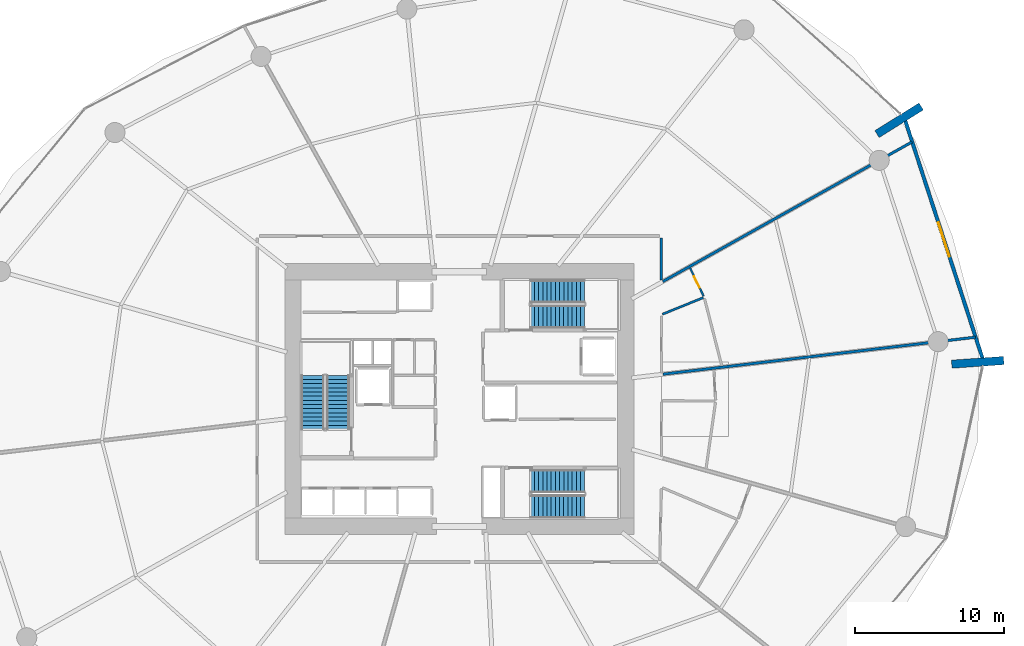
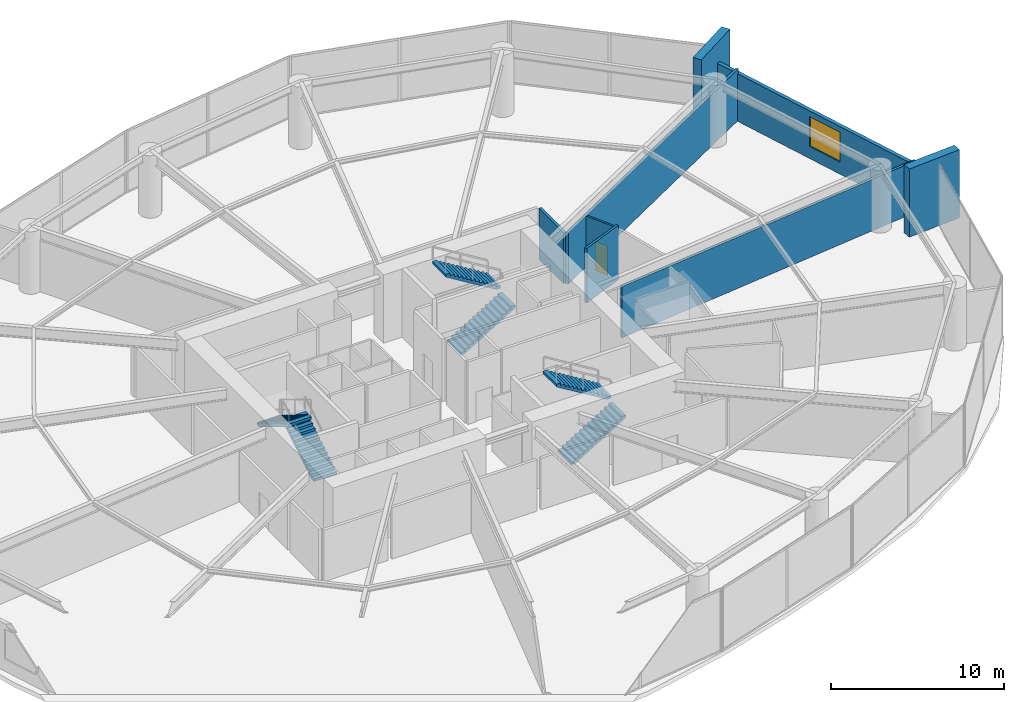
# One storey, part 20 of 22: 8 walls, 6 stair flights, 1 door, 1 window, 2 openings, 3 elements without a shape of their own.
"""IFC4 building model written with IfcOpenShell, lengths in metres."""

from ifc_helpers import new_model, si_unit, direction, frame, frame_2d, origin, place, context, subcontext, project, spatial, polyline, rectangle, outline, extrude, material, layer, layer_set, type_object, element, fill, aggregate, save


model = new_model("IFC4")

# Units and contexts
model_context = context("Model", 3, precision=1e-05, world=origin(), true_north=direction((0.0, 1.0)))
body_context = subcontext(model_context, "Body", "Model", "MODEL_VIEW")
ifc_project = project(units=[si_unit("LENGTHUNIT", "METRE"), si_unit("AREAUNIT", "SQUARE_METRE"), si_unit("VOLUMEUNIT", "CUBIC_METRE"), si_unit("PLANEANGLEUNIT", "RADIAN"), si_unit("MASSUNIT", "GRAM", prefix="KILO")], contexts=[model_context])

# Site, building, storey
site_placement = place(None, origin())
site = spatial("IfcSite", under=ifc_project, at=site_placement, CompositionType="ELEMENT")
building_placement = place(site_placement, origin())
building = spatial("IfcBuilding", under=site, at=building_placement, Name="Kazma Halo Residences", CompositionType="ELEMENT")
storey_placement = place(building_placement, frame((0.0, 0.0, 16.800048828125)))
storey = spatial("IfcBuildingStorey", under=building, at=storey_placement, Name="L03", CompositionType="ELEMENT", Elevation=16.800048828125)

# Walls
ifc_material_1 = material(Name="Pale Concrete C60/75", Category="concrete")
ifc_layer_1 = layer(ifc_material_1, 0.550048828125)
ifc_layer_set_1 = layer_set([ifc_layer_1], Name="Pale Concrete C60/75")
wall_type_1 = type_object("IfcWallType", Name="WL-BLADE-550", PredefinedType="SOLIDWALL", material=ifc_layer_set_1)
for number, where, z_axis, x_axis, name in (
    (1, (76.481201171875, 59.797119140625, 0.0), (0.0, 0.0, 1.0), (0.848053161125, 0.529911158502, 0.0), "L03 pale concrete structural blade fin wall BW-01"),
    (2, (81.502685546875, 44.3427734375, 0.0), (0.0, 0.0, 1.0), (0.997564163539, 0.069754853754, 0.0), "L03 pale concrete structural blade fin wall BW-04"),
):
    element("IfcWall", number, at=place(storey_placement, frame(where, z_axis=z_axis, x_axis=x_axis)), inside=storey, type_object=wall_type_1, Name=name, PredefinedType="SOLIDWALL", context=body_context, shape_type="SweptSolid", body=[
        extrude(rectangle(XDim=3.5, YDim=0.550048828125, at=frame_2d((1.75, 0.0))), origin(), (0.0, 0.0, 1.0), 4.800048828125),
    ])
ifc_material_2 = material(Name="Acoustic Twin-Stud Gypsum")
ifc_layer_2 = layer(ifc_material_2, 0.179931640625)
ifc_layer_set_2 = layer_set([ifc_layer_2], Name="Acoustic Twin-Stud Gypsum")
wall_type_2 = type_object("IfcWallType", Name="WL-DEM-180", PredefinedType="PARTITIONING", material=ifc_layer_set_2)
wall_1_placement = place(storey_placement, frame((62.0, 49.98046875, 0.0), z_axis=(0.0, 0.0, 1.0), x_axis=(0.0, 1.0, 0.0)))
element("IfcWall", 3, at=wall_1_placement, inside=storey, type_object=wall_type_2, Name="L03 Cardio and Strength Fitness Gym corridor wall", PredefinedType="PARTITIONING", context=body_context, shape_type="SweptSolid", body=[
    extrude(rectangle(XDim=2.82958984375, YDim=0.179931640625, at=frame_2d((1.414794921875, 0.0))), origin(), (0.0, 0.0, 1.0), 3.613037109375),
])
wall_2_placement = place(storey_placement, frame((62.095947265625, 49.89404296875, 0.0), z_axis=(0.0, 0.0, 1.0), x_axis=(0.872490608205, 0.488630881744, 0.0)))
element("IfcWall", 4, at=wall_2_placement, inside=storey, type_object=wall_type_2, Name="L03 radial partition wall 00", PredefinedType="PARTITIONING", context=body_context, shape_type="SweptSolid", body=[
    extrude(rectangle(XDim=19.184814453125, YDim=0.179931640625, at=frame_2d((9.59228515625, 0.0))), origin(), (0.0, 0.0, 1.0), 3.613037109375),
])
wall_3_placement = place(storey_placement, frame((62.109130859375, 43.669921875, 0.0), z_axis=(0.0, 0.0, 1.0), x_axis=(0.993068665713, 0.117535633659, 0.0)))
element("IfcWall", 5, at=wall_3_placement, inside=storey, type_object=wall_type_2, Name="L03 radial partition wall 15", PredefinedType="PARTITIONING", context=body_context, shape_type="SweptSolid", body=[
    extrude(rectangle(XDim=21.133056640625, YDim=0.179931640625, at=frame_2d((10.56640625, 0.0))), origin(), (0.0, 0.0, 1.0), 3.613037109375),
])

# Wall, opening, window
ifc_material_3 = material(Name="Insulated Pale-Metal Composite Wall")
ifc_layer_3 = layer(ifc_material_3, 0.239990234375)
ifc_layer_set_3 = layer_set([ifc_layer_3], Name="Insulated Pale-Metal Composite Wall")
wall_type_3 = type_object("IfcWallType", Name="WL-EXT-HOST-240", PredefinedType="SOLIDWALL", material=ifc_layer_set_3)
wall_4_placement = place(storey_placement, frame((83.57275390625, 44.724609375, 0.0), z_axis=(0.0, 0.0, 1.0), x_axis=(-0.309022005354, 0.951054888115, 0.0)))
wall_4 = element("IfcWall", 6, at=wall_4_placement, inside=storey, type_object=wall_type_3, Name="L03 podium end wall B16", PredefinedType="SOLIDWALL", context=body_context, shape_type="SweptSolid", body=[
    extrude(rectangle(XDim=16.802734375, YDim=0.239990234375, at=frame_2d((8.4013671875, 0.0))), origin(), (0.0, 0.0, 1.0), 3.349853515625),
])
opening_1_placement = place(wall_4_placement, frame((7.201171875, 0.0, 0.85009765625)))
opening_1 = element("IfcOpeningElement", 7, at=opening_1_placement, cuts=wall_4, Name="Opening W-2400", PredefinedType="OPENING", context=body_context, shape_type="SweptSolid", body=[
    extrude(rectangle(XDim=2.39990234375, YDim=2.10009765625, at=frame_2d((1.199951171875, 1.050048828125))), frame((0.0, 0.1298828125, 0.0), z_axis=(0.0, -1.0, 0.0), x_axis=(1.0, 0.0, 0.0)), (0.0, 0.0, 1.0), 0.260009765625),
])
ifc_material_4 = material(Name="Clear Triple-Silver Low-E Glass in Aluminium AW-6063 T6 Frame", Category="aluminium")
window_type = type_object("IfcWindowType", Name="WIN-POD-2400", PartitioningType="DOUBLE_PANEL_VERTICAL", PredefinedType="WINDOW", material=ifc_material_4)
window_placement = place(opening_1_placement, origin())
window = element("IfcWindow", 8, at=window_placement, inside=storey, type_object=window_type, Name="L03 podium vision window B16", OverallHeight=2.10009765625, OverallWidth=2.39990234375, PartitioningType="SINGLE_PANEL", PredefinedType="WINDOW", context=body_context, shape_type="SweptSolid", body=[
    extrude(rectangle(XDim=2.39990234375, YDim=2.10009765625, at=frame_2d((1.199951171875, 1.050048828125))), frame((0.0, 0.030029296875, 0.0), z_axis=(0.0, -1.0, 0.0), x_axis=(1.0, 0.0, 0.0)), (0.0, 0.0, 1.0), 0.06005859375),
])
fill(opening_1, window)

# Wall, opening, door
ifc_material_5 = material(Name="Gypsum Plasterboard Partition")
ifc_layer_4 = layer(ifc_material_5, 0.125)
ifc_layer_set_4 = layer_set([ifc_layer_4], Name="Gypsum Plasterboard Partition")
wall_type_4 = type_object("IfcWallType", Name="WL-PART-125", PredefinedType="PARTITIONING", material=ifc_layer_set_4)
wall_5_placement = place(storey_placement, frame((64.8388671875, 48.906494140625, 0.0), z_axis=(0.0, 0.0, 1.0), x_axis=(-0.432923235959, 0.901430791446, 0.0)))
wall_5 = element("IfcWall", 9, at=wall_5_placement, inside=storey, type_object=wall_type_4, Name="L03 supply store wall", PredefinedType="PARTITIONING", context=body_context, shape_type="SweptSolid", body=[
    extrude(rectangle(XDim=2.106201171875, YDim=0.125, at=frame_2d((1.05322265625, 0.0))), origin(), (0.0, 0.0, 1.0), 3.613037109375),
])
opening_2_placement = place(wall_5_placement, frame((0.628173828125, 0.0, 0.0)))
opening_2 = element("IfcOpeningElement", 10, at=opening_2_placement, cuts=wall_5, Name="Opening DS-850", PredefinedType="OPENING", context=body_context, shape_type="SweptSolid", body=[
    extrude(rectangle(XDim=0.85009765625, YDim=2.06005859375, at=frame_2d((0.425048828125, 1.030029296875))), frame((0.0, 0.072509765625, 0.0), z_axis=(0.0, -1.0, 0.0), x_axis=(1.0, 0.0, 0.0)), (0.0, 0.0, 1.0), 0.14501953125),
])
ifc_material_6 = material(Name="Painted Steel Access Leaf", Category="steel")
door_type = type_object("IfcDoorType", Name="DR-SVC-850", OperationType="NOTDEFINED", PredefinedType="DOOR", material=ifc_material_6)
door_placement = place(opening_2_placement, origin())
door = element("IfcDoor", 11, at=door_placement, inside=storey, type_object=door_type, Name="L03 supply store door", OperationType="SINGLE_SWING_RIGHT", OverallHeight=2.06005859375, OverallWidth=0.85009765625, PredefinedType="DOOR", context=body_context, shape_type="SweptSolid", body=[
    extrude(rectangle(XDim=0.85009765625, YDim=2.06005859375, at=frame_2d((0.425048828125, 1.030029296875))), frame((0.0, 0.02490234375, 0.0), z_axis=(0.0, -1.0, 0.0), x_axis=(1.0, 0.0, 0.0)), (0.0, 0.0, 1.0), 0.050048828125),
])
fill(opening_2, door)

# Wall
ifc_material_7 = material(Name="Moisture-Resistant Gypsum")
ifc_layer_5 = layer(ifc_material_7, 0.14990234375)
ifc_layer_set_5 = layer_set([ifc_layer_5], Name="Moisture-Resistant Gypsum")
wall_type_5 = type_object("IfcWallType", Name="WL-WET-150", PredefinedType="PARTITIONING", material=ifc_layer_set_5)
wall_6_placement = place(storey_placement, frame((62.07421875, 47.70068359375, 0.0), z_axis=(0.0, 0.0, 1.0), x_axis=(0.926852538468, 0.375425587747, 0.0)))
element("IfcWall", 12, at=wall_6_placement, inside=storey, type_object=wall_type_5, Name="L03 Gym Accessible WC side wall", PredefinedType="PARTITIONING", context=body_context, shape_type="SweptSolid", body=[
    extrude(rectangle(XDim=2.960205078125, YDim=0.14990234375, at=frame_2d((1.47998046875, 0.0))), origin(), (0.0, 0.0, 1.0), 3.83984375),
])

# Stair, stair flights
ifc_material_8 = material(Name="Concrete C50/60", Category="concrete")
stair_type = type_object("IfcStairType", Name="STR-POD", PredefinedType="HALF_TURN_STAIR", material=ifc_material_8)
stair_1_placement = place(storey_placement, origin())
stair_1 = element("IfcStair", 13, at=stair_1_placement, inside=storey, type_object=stair_type, Name="L03 Core exit stair ST-01", PredefinedType="HALF_TURN_STAIR")
stair_flight_type = type_object("IfcStairFlightType", Name="STR-POD-FLT", PredefinedType="STRAIGHT", material=ifc_material_8)
stair_flight_1_placement = place(storey_placement, frame((40.27490234375, 39.949951171875, 0.0), z_axis=(0.0, 0.0, 1.0), x_axis=(0.0, 1.0, 0.0)))
stair_flight_1 = element("IfcStairFlight", 14, at=stair_flight_1_placement, type_object=stair_flight_type, Name="ST-01 flight 1", NumberOfRisers=14, NumberOfTreads=13, PredefinedType="STRAIGHT", RiserHeight=0.171428571, TreadLength=0.28, context=body_context, shape_type="SweptSolid", body=[
    extrude(outline(polyline([(0.0, 0.0), (0.0, 0.17138671875), (0.280029296875, 0.17138671875), (0.280029296875, 0.3427734375), (0.56005859375, 0.3427734375), (0.56005859375, 0.514404296875), (0.840087890625, 0.514404296875), (0.840087890625, 0.685791015625), (1.1201171875, 0.685791015625), (1.1201171875, 0.857177734375), (1.39990234375, 0.857177734375), (1.39990234375, 1.028564453125), (1.679931640625, 1.028564453125), (1.679931640625, 1.199951171875), (1.9599609375, 1.199951171875), (1.9599609375, 1.371337890625), (2.239990234375, 1.371337890625), (2.239990234375, 1.54296875), (2.52001953125, 1.54296875), (2.52001953125, 1.71435546875), (2.800048828125, 1.71435546875), (2.800048828125, 1.8857421875), (3.080078125, 1.8857421875), (3.080078125, 2.05712890625), (3.360107421875, 2.05712890625), (3.360107421875, 2.228515625), (3.639892578125, 2.228515625), (3.639892578125, 2.39990234375), (3.639892578125, 2.052734375), (0.287109375, 0.0), (0.0, 0.0)])), frame((0.0, 0.77490234375, 0.0), z_axis=(0.0, -1.0, 0.0), x_axis=(1.0, 0.0, 0.0)), (0.0, 0.0, 1.0), 1.550048828125),
])
stair_flight_2_placement = place(storey_placement, frame((38.574951171875, 43.590087890625, 2.39990234375), z_axis=(0.0, 0.0, 1.0), x_axis=(0.0, -1.0, 0.0)))
stair_flight_2 = element("IfcStairFlight", 15, at=stair_flight_2_placement, type_object=stair_flight_type, Name="ST-01 flight 2", NumberOfRisers=14, NumberOfTreads=13, PredefinedType="STRAIGHT", RiserHeight=0.171428571, TreadLength=0.28, context=body_context, shape_type="SweptSolid", body=[
    extrude(outline(polyline([(0.0, 0.0), (0.0, 0.17138671875), (0.280029296875, 0.17138671875), (0.280029296875, 0.3427734375), (0.56005859375, 0.3427734375), (0.56005859375, 0.514404296875), (0.840087890625, 0.514404296875), (0.840087890625, 0.685791015625), (1.1201171875, 0.685791015625), (1.1201171875, 0.857177734375), (1.39990234375, 0.857177734375), (1.39990234375, 1.028564453125), (1.679931640625, 1.028564453125), (1.679931640625, 1.199951171875), (1.9599609375, 1.199951171875), (1.9599609375, 1.371337890625), (2.239990234375, 1.371337890625), (2.239990234375, 1.54296875), (2.52001953125, 1.54296875), (2.52001953125, 1.71435546875), (2.800048828125, 1.71435546875), (2.800048828125, 1.8857421875), (3.080078125, 1.8857421875), (3.080078125, 2.05712890625), (3.360107421875, 2.05712890625), (3.360107421875, 2.228515625), (3.639892578125, 2.228515625), (3.639892578125, 2.39990234375), (3.639892578125, 2.052734375), (0.287109375, 0.0), (0.0, 0.0)])), frame((0.0, 0.77490234375, 0.0), z_axis=(0.0, -1.0, 0.0), x_axis=(1.0, 0.0, 0.0)), (0.0, 0.0, 1.0), 1.550048828125),
])
aggregate(stair_1, [stair_flight_1, stair_flight_2])

stair_2_placement = place(storey_placement, origin())
stair_2 = element("IfcStair", 16, at=stair_2_placement, inside=storey, type_object=stair_type, Name="L03 Core exit stair ST-02", PredefinedType="HALF_TURN_STAIR")
stair_flight_3_placement = place(storey_placement, frame((53.199951171875, 47.52490234375, 0.0), z_axis=(0.0, 0.0, 1.0), x_axis=(1.0, 0.0, 0.0)))
stair_flight_3 = element("IfcStairFlight", 17, at=stair_flight_3_placement, type_object=stair_flight_type, Name="ST-02 flight 1", NumberOfRisers=14, NumberOfTreads=13, PredefinedType="STRAIGHT", RiserHeight=0.171428571, TreadLength=0.28, context=body_context, shape_type="SweptSolid", body=[
    extrude(outline(polyline([(0.0, 0.0), (0.0, 0.17138671875), (0.280029296875, 0.17138671875), (0.280029296875, 0.3427734375), (0.56005859375, 0.3427734375), (0.56005859375, 0.514404296875), (0.840087890625, 0.514404296875), (0.840087890625, 0.685791015625), (1.1201171875, 0.685791015625), (1.1201171875, 0.857177734375), (1.39990234375, 0.857177734375), (1.39990234375, 1.028564453125), (1.679931640625, 1.028564453125), (1.679931640625, 1.199951171875), (1.9599609375, 1.199951171875), (1.9599609375, 1.371337890625), (2.239990234375, 1.371337890625), (2.239990234375, 1.54296875), (2.52001953125, 1.54296875), (2.52001953125, 1.71435546875), (2.800048828125, 1.71435546875), (2.800048828125, 1.8857421875), (3.080078125, 1.8857421875), (3.080078125, 2.05712890625), (3.360107421875, 2.05712890625), (3.360107421875, 2.228515625), (3.639892578125, 2.228515625), (3.639892578125, 2.39990234375), (3.639892578125, 2.052734375), (0.287109375, 0.0), (0.0, 0.0)])), frame((0.0, 0.77490234375, 0.0), z_axis=(0.0, -1.0, 0.0), x_axis=(1.0, 0.0, 0.0)), (0.0, 0.0, 1.0), 1.550048828125),
])
stair_flight_4_placement = place(storey_placement, frame((56.840087890625, 49.22509765625, 2.39990234375), z_axis=(0.0, 0.0, 1.0), x_axis=(-1.0, 0.0, 0.0)))
stair_flight_4 = element("IfcStairFlight", 18, at=stair_flight_4_placement, type_object=stair_flight_type, Name="ST-02 flight 2", NumberOfRisers=14, NumberOfTreads=13, PredefinedType="STRAIGHT", RiserHeight=0.171428571, TreadLength=0.28, context=body_context, shape_type="SweptSolid", body=[
    extrude(outline(polyline([(0.0, 0.0), (0.0, 0.17138671875), (0.280029296875, 0.17138671875), (0.280029296875, 0.3427734375), (0.56005859375, 0.3427734375), (0.56005859375, 0.514404296875), (0.840087890625, 0.514404296875), (0.840087890625, 0.685791015625), (1.1201171875, 0.685791015625), (1.1201171875, 0.857177734375), (1.39990234375, 0.857177734375), (1.39990234375, 1.028564453125), (1.679931640625, 1.028564453125), (1.679931640625, 1.199951171875), (1.9599609375, 1.199951171875), (1.9599609375, 1.371337890625), (2.239990234375, 1.371337890625), (2.239990234375, 1.54296875), (2.52001953125, 1.54296875), (2.52001953125, 1.71435546875), (2.800048828125, 1.71435546875), (2.800048828125, 1.8857421875), (3.080078125, 1.8857421875), (3.080078125, 2.05712890625), (3.360107421875, 2.05712890625), (3.360107421875, 2.228515625), (3.639892578125, 2.228515625), (3.639892578125, 2.39990234375), (3.639892578125, 2.052734375), (0.287109375, 0.0), (0.0, 0.0)])), frame((0.0, 0.77490234375, 0.0), z_axis=(0.0, -1.0, 0.0), x_axis=(1.0, 0.0, 0.0)), (0.0, 0.0, 1.0), 1.550048828125),
])
aggregate(stair_2, [stair_flight_3, stair_flight_4])

stair_3_placement = place(storey_placement, origin())
stair_3 = element("IfcStair", 19, at=stair_3_placement, inside=storey, type_object=stair_type, Name="L03 Core exit stair ST-03", PredefinedType="HALF_TURN_STAIR")
stair_flight_5_placement = place(storey_placement, frame((53.199951171875, 34.77490234375, 0.0), z_axis=(0.0, 0.0, 1.0), x_axis=(1.0, 0.0, 0.0)))
stair_flight_5 = element("IfcStairFlight", 20, at=stair_flight_5_placement, type_object=stair_flight_type, Name="ST-03 flight 1", NumberOfRisers=14, NumberOfTreads=13, PredefinedType="STRAIGHT", RiserHeight=0.171428571, TreadLength=0.28, context=body_context, shape_type="SweptSolid", body=[
    extrude(outline(polyline([(0.0, 0.0), (0.0, 0.17138671875), (0.280029296875, 0.17138671875), (0.280029296875, 0.3427734375), (0.56005859375, 0.3427734375), (0.56005859375, 0.514404296875), (0.840087890625, 0.514404296875), (0.840087890625, 0.685791015625), (1.1201171875, 0.685791015625), (1.1201171875, 0.857177734375), (1.39990234375, 0.857177734375), (1.39990234375, 1.028564453125), (1.679931640625, 1.028564453125), (1.679931640625, 1.199951171875), (1.9599609375, 1.199951171875), (1.9599609375, 1.371337890625), (2.239990234375, 1.371337890625), (2.239990234375, 1.54296875), (2.52001953125, 1.54296875), (2.52001953125, 1.71435546875), (2.800048828125, 1.71435546875), (2.800048828125, 1.8857421875), (3.080078125, 1.8857421875), (3.080078125, 2.05712890625), (3.360107421875, 2.05712890625), (3.360107421875, 2.228515625), (3.639892578125, 2.228515625), (3.639892578125, 2.39990234375), (3.639892578125, 2.052734375), (0.287109375, 0.0), (0.0, 0.0)])), frame((0.0, 0.77490234375, 0.0), z_axis=(0.0, -1.0, 0.0), x_axis=(1.0, 0.0, 0.0)), (0.0, 0.0, 1.0), 1.550048828125),
])
stair_flight_6_placement = place(storey_placement, frame((56.840087890625, 36.47509765625, 2.39990234375), z_axis=(0.0, 0.0, 1.0), x_axis=(-1.0, 0.0, 0.0)))
stair_flight_6 = element("IfcStairFlight", 21, at=stair_flight_6_placement, type_object=stair_flight_type, Name="ST-03 flight 2", NumberOfRisers=14, NumberOfTreads=13, PredefinedType="STRAIGHT", RiserHeight=0.171428571, TreadLength=0.28, context=body_context, shape_type="SweptSolid", body=[
    extrude(outline(polyline([(0.0, 0.0), (0.0, 0.17138671875), (0.280029296875, 0.17138671875), (0.280029296875, 0.3427734375), (0.56005859375, 0.3427734375), (0.56005859375, 0.514404296875), (0.840087890625, 0.514404296875), (0.840087890625, 0.685791015625), (1.1201171875, 0.685791015625), (1.1201171875, 0.857177734375), (1.39990234375, 0.857177734375), (1.39990234375, 1.028564453125), (1.679931640625, 1.028564453125), (1.679931640625, 1.199951171875), (1.9599609375, 1.199951171875), (1.9599609375, 1.371337890625), (2.239990234375, 1.371337890625), (2.239990234375, 1.54296875), (2.52001953125, 1.54296875), (2.52001953125, 1.71435546875), (2.800048828125, 1.71435546875), (2.800048828125, 1.8857421875), (3.080078125, 1.8857421875), (3.080078125, 2.05712890625), (3.360107421875, 2.05712890625), (3.360107421875, 2.228515625), (3.639892578125, 2.228515625), (3.639892578125, 2.39990234375), (3.639892578125, 2.052734375), (0.287109375, 0.0), (0.0, 0.0)])), frame((0.0, 0.77490234375, 0.0), z_axis=(0.0, -1.0, 0.0), x_axis=(1.0, 0.0, 0.0)), (0.0, 0.0, 1.0), 1.550048828125),
])
aggregate(stair_3, [stair_flight_5, stair_flight_6])

save(model, "model.ifc")
